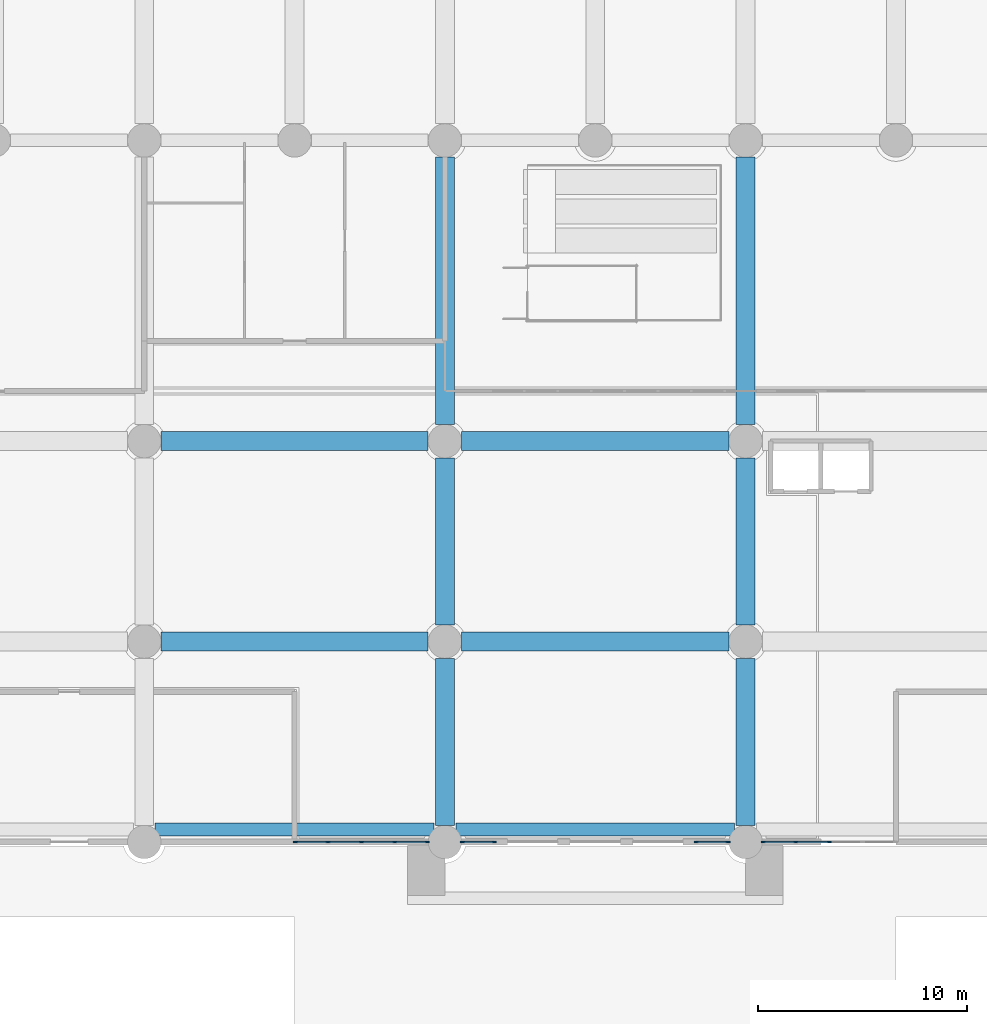
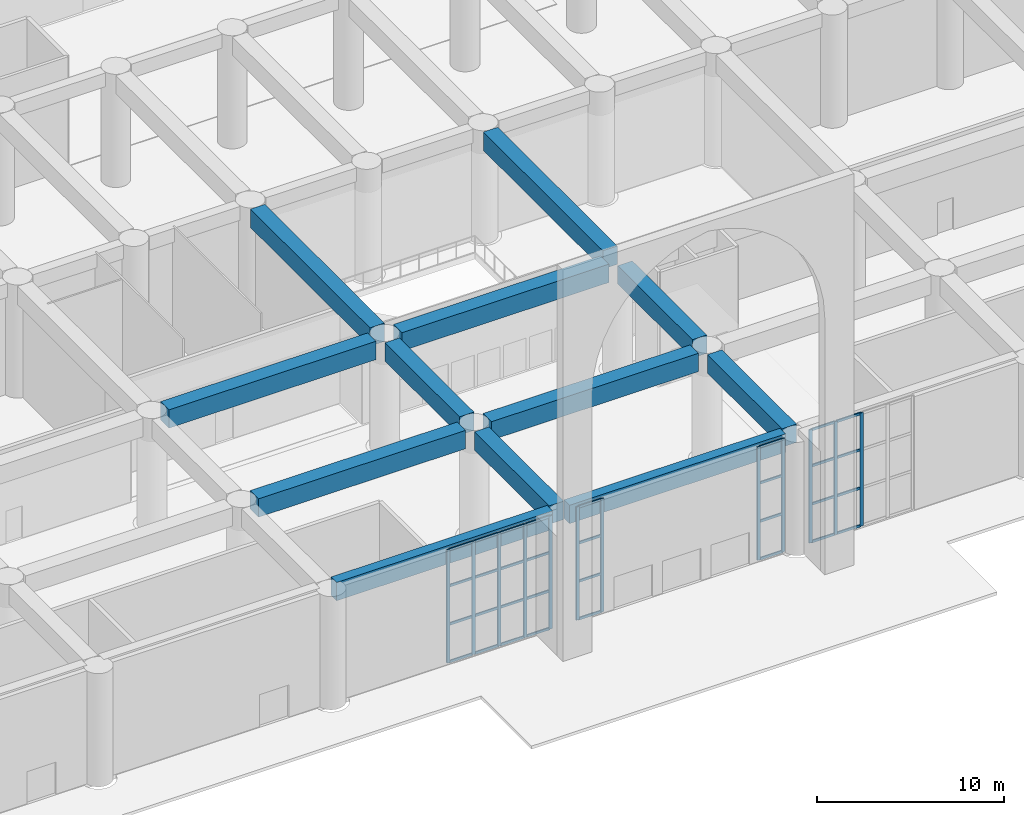
# One storey, part 3 of 32: 44 members, 12 beams, 4 elements without a shape of their own.
"""IFC4 building model written with IfcOpenShell, lengths in metres."""

from ifc_helpers import new_model, si_unit, direction, frame, origin, origin_2d, place, context, subcontext, project, spatial, rectangle, extrude, source, transform, mapped, material, layer, layer_set, material_profile, profile_set, type_object, element, aggregate, save


model = new_model("IFC4")

# Units and contexts
model_context = context("Model", 3, precision=1e-05, world=origin(), true_north=direction((0.0, 1.0)))
body_context = subcontext(model_context, "Body", "Model", "MODEL_VIEW")
ifc_project = project(units=[si_unit("LENGTHUNIT", "METRE"), si_unit("AREAUNIT", "SQUARE_METRE"), si_unit("VOLUMEUNIT", "CUBIC_METRE"), si_unit("PLANEANGLEUNIT", "RADIAN"), si_unit("MASSUNIT", "GRAM", prefix="KILO")], contexts=[model_context])

# Site, building, storey
site_placement = place(None, origin())
site = spatial("IfcSite", under=ifc_project, at=site_placement, CompositionType="ELEMENT")
building_placement = place(site_placement, origin())
building = spatial("IfcBuilding", under=site, at=building_placement, Name="Saffron Iwan Residences", CompositionType="ELEMENT")
storey_placement = place(building_placement, origin())
storey = spatial("IfcBuildingStorey", under=building, at=storey_placement, Name="L00", CompositionType="ELEMENT", Elevation=0.0)

# Beams
ifc_material_1 = material(Name="Concrete C50/60", Category="concrete")
ifc_material_profile_1 = material_profile(ifc_material_1, rectangle(XDim=0.60009765625, YDim=1.199951171875, at=origin_2d()), Name="RC 600x1200")
ifc_profile_set_1 = profile_set([ifc_material_profile_1], Name="Concrete C50/60")
beam_type_1 = type_object("IfcBeamType", Name="LINTEL BEAM RC 600x1200 C50/60 TOP 7400", PredefinedType="LINTEL", material=ifc_profile_set_1)
shared_shape_1 = source(origin(), body_context, "Body", "SweptSolid", [
    extrude(rectangle(XDim=0.60009765625, YDim=1.199951171875, at=origin_2d()), origin(), (0.0, 0.0, 1.0), 13.352294921875),
])
beam_1_placement = place(storey_placement, frame((57.076171875, 0.60009765625, 6.800048828125), z_axis=(-1.0, 0.0, 0.0), x_axis=(0.0, -1.0, 0.0)))
element("IfcBeam", 1, at=beam_1_placement, inside=storey, type_object=beam_type_1, Name="Lintel beam over the iwan", PredefinedType="LINTEL", context=body_context, shape_type="MappedRepresentation", body=[
    mapped(shared_shape_1, transform((0.0, 0.0, 0.0))),
])
shared_shape_2 = source(origin(), body_context, "Body", "SweptSolid", [
    extrude(rectangle(XDim=0.60009765625, YDim=1.199951171875, at=origin_2d()), origin(), (0.0, 0.0, 1.0), 13.35205078125),
])
beam_2_placement = place(storey_placement, frame((42.676025390625, 0.60009765625, 6.800048828125), z_axis=(-1.0, 0.0, 0.0), x_axis=(0.0, -1.0, 0.0)))
element("IfcBeam", 2, at=beam_2_placement, inside=storey, type_object=beam_type_1, Name="Lintel beam over the iwan", PredefinedType="LINTEL", context=body_context, shape_type="MappedRepresentation", body=[
    mapped(shared_shape_2, transform((0.0, 0.0, 0.0))),
])
ifc_material_profile_2 = material_profile(ifc_material_1, rectangle(XDim=0.89990234375, YDim=1.199951171875, at=origin_2d()), Name="RC 900x1200")
ifc_profile_set_2 = profile_set([ifc_material_profile_2], Name="Concrete C50/60")
beam_type_2 = type_object("IfcBeamType", Name="BEAM RC 900x1200 C50/60 TOP 7400", PredefinedType="BEAM", material=ifc_profile_set_2)
shared_shape_3 = source(origin(), body_context, "Body", "SweptSolid", [
    extrude(rectangle(XDim=0.89990234375, YDim=1.199951171875, at=origin_2d()), origin(), (0.0, 0.0, 1.0), 8.0),
])
for number, where, z_axis, x_axis, name in (
    (3, (43.199951171875, 0.800048828125, 6.800048828125), (0.0, 1.0, 0.0), (-1.0, 0.0, 0.0), "Floor beam"),
    (4, (57.60009765625, 0.800048828125, 6.800048828125), (0.0, 1.0, 0.0), (-1.0, 0.0, 0.0), "Floor beam"),
    (5, (43.199951171875, 10.39990234375, 6.800048828125), (0.0, 1.0, 0.0), (-1.0, 0.0, 0.0), "Floor beam"),
    (6, (57.60009765625, 10.39990234375, 6.800048828125), (0.0, 1.0, 0.0), (-1.0, 0.0, 0.0), "Floor beam"),
):
    element("IfcBeam", number, at=place(storey_placement, frame(where, z_axis=z_axis, x_axis=x_axis)), inside=storey, type_object=beam_type_2, Name=name, PredefinedType="BEAM", context=body_context, shape_type="MappedRepresentation", body=[
        mapped(shared_shape_3, transform((0.0, 0.0, 0.0))),
    ])
shared_shape_4 = source(origin(), body_context, "Body", "SweptSolid", [
    extrude(rectangle(XDim=0.89990234375, YDim=1.199951171875, at=origin_2d()), origin(), (0.0, 0.0, 1.0), 12.800048828125),
])
for number, where, z_axis, x_axis, name in (
    (7, (44.0, 9.60009765625, 6.800048828125), (1.0, 0.0, 0.0), (0.0, 1.0, 0.0), "Floor beam"),
    (8, (44.0, 19.199951171875, 6.800048828125), (1.0, 0.0, 0.0), (0.0, 1.0, 0.0), "Floor beam"),
    (9, (43.199951171875, 20.0, 6.800048828125), (0.0, 1.0, 0.0), (-1.0, 0.0, 0.0), "Floor beam"),
    (10, (57.60009765625, 20.0, 6.800048828125), (0.0, 1.0, 0.0), (-1.0, 0.0, 0.0), "Floor beam"),
):
    element("IfcBeam", number, at=place(storey_placement, frame(where, z_axis=z_axis, x_axis=x_axis)), inside=storey, type_object=beam_type_2, Name=name, PredefinedType="BEAM", context=body_context, shape_type="MappedRepresentation", body=[
        mapped(shared_shape_4, transform((0.0, 0.0, 0.0))),
    ])
shared_shape_5 = source(origin(), body_context, "Body", "SweptSolid", [
    extrude(rectangle(XDim=0.89990234375, YDim=1.199951171875, at=origin_2d()), origin(), (0.0, 0.0, 1.0), 12.7998046875),
])
for number, where, z_axis, x_axis, name in (
    (11, (29.60009765625, 9.60009765625, 6.800048828125), (1.0, 0.0, 0.0), (0.0, 1.0, 0.0), "Floor beam"),
    (12, (29.60009765625, 19.199951171875, 6.800048828125), (1.0, 0.0, 0.0), (0.0, 1.0, 0.0), "Floor beam"),
):
    element("IfcBeam", number, at=place(storey_placement, frame(where, z_axis=z_axis, x_axis=x_axis)), inside=storey, type_object=beam_type_2, Name=name, PredefinedType="BEAM", context=body_context, shape_type="MappedRepresentation", body=[
        mapped(shared_shape_5, transform((0.0, 0.0, 0.0))),
    ])

# Curtain wall, members
ifc_material_2 = material(Name="Clear glass, laminated double glazed", Category="glass")
ifc_layer = layer(ifc_material_2, 0.199951171875)
ifc_layer_set = layer_set([ifc_layer], Name="Clear glass, laminated double glazed")
curtain_wall_type = type_object("IfcCurtainWallType", Name="CW-A UNITISED FRONTAGE", PredefinedType="NOTDEFINED", material=ifc_layer_set)
curtain_wall_1_placement = place(storey_placement, origin())
curtain_wall_1 = element("IfcCurtainWall", 13, at=curtain_wall_1_placement, inside=storey, type_object=curtain_wall_type, Name="Frontage glazing 1.1", PredefinedType="NOTDEFINED")
ifc_material_3 = material(Name="Aluminium 6063-T6", Category="aluminium")
ifc_material_profile_3 = material_profile(ifc_material_3, rectangle(XDim=0.080078125, YDim=0.199951171875, at=origin_2d()), Name="CW-A MULLION 80 x 200")
ifc_profile_set_3 = profile_set([ifc_material_profile_3], Name="Aluminium 6063-T6")
member_type_1 = type_object("IfcMemberType", Name="CW-A MULLION 80 x 200", PredefinedType="MULLION", material=ifc_profile_set_3)
shared_shape_6 = source(origin(), body_context, "Body", "SweptSolid", [
    extrude(rectangle(XDim=0.080078125, YDim=0.199951171875, at=origin_2d()), origin(), (0.0, 0.0, 1.0), 7.39990234375),
])
member_1_placement = place(storey_placement, frame((36.0400390625, 0.0, 0.0), z_axis=(0.0, 0.0, 1.0), x_axis=(0.0, 1.0, 0.0)))
member_1 = element("IfcMember", 14, at=member_1_placement, type_object=member_type_1, Name="CW-A mullion 1", PredefinedType="MULLION", context=body_context, shape_type="MappedRepresentation", body=[
    mapped(shared_shape_6, transform((0.0, 0.0, 0.0))),
])
member_2_placement = place(storey_placement, frame((37.60009765625, 0.0, 0.0), z_axis=(0.0, 0.0, 1.0), x_axis=(0.0, 1.0, 0.0)))
member_2 = element("IfcMember", 15, at=member_2_placement, type_object=member_type_1, Name="CW-A mullion 2", PredefinedType="MULLION", context=body_context, shape_type="MappedRepresentation", body=[
    mapped(shared_shape_6, transform((0.0, 0.0, 0.0))),
])
member_3_placement = place(storey_placement, frame((39.199951171875, 0.0, 0.0), z_axis=(0.0, 0.0, 1.0), x_axis=(0.0, 1.0, 0.0)))
member_3 = element("IfcMember", 16, at=member_3_placement, type_object=member_type_1, Name="CW-A mullion 3", PredefinedType="MULLION", context=body_context, shape_type="MappedRepresentation", body=[
    mapped(shared_shape_6, transform((0.0, 0.0, 0.0))),
])
member_4_placement = place(storey_placement, frame((40.800048828125, 0.0, 0.0), z_axis=(0.0, 0.0, 1.0), x_axis=(0.0, 1.0, 0.0)))
member_4 = element("IfcMember", 17, at=member_4_placement, type_object=member_type_1, Name="CW-A mullion 4", PredefinedType="MULLION", context=body_context, shape_type="MappedRepresentation", body=[
    mapped(shared_shape_6, transform((0.0, 0.0, 0.0))),
])
member_5_placement = place(storey_placement, frame((42.360107421875, 0.0, 0.0), z_axis=(0.0, 0.0, 1.0), x_axis=(0.0, 1.0, 0.0)))
member_5 = element("IfcMember", 18, at=member_5_placement, type_object=member_type_1, Name="CW-A mullion 5", PredefinedType="MULLION", context=body_context, shape_type="MappedRepresentation", body=[
    mapped(shared_shape_6, transform((0.0, 0.0, 0.0))),
])

curtain_wall_2_placement = place(storey_placement, origin())
curtain_wall_2 = element("IfcCurtainWall", 19, at=curtain_wall_2_placement, inside=storey, type_object=curtain_wall_type, Name="Frontage glazing 1.2", PredefinedType="NOTDEFINED")
member_6_placement = place(storey_placement, frame((44.0400390625, 0.0, 0.0), z_axis=(0.0, 0.0, 1.0), x_axis=(0.0, 1.0, 0.0)))
member_6 = element("IfcMember", 20, at=member_6_placement, type_object=member_type_1, Name="CW-A mullion 1", PredefinedType="MULLION", context=body_context, shape_type="MappedRepresentation", body=[
    mapped(shared_shape_6, transform((0.0, 0.0, 0.0))),
])
member_7_placement = place(storey_placement, frame((45.56005859375, 0.0, 0.0), z_axis=(0.0, 0.0, 1.0), x_axis=(0.0, 1.0, 0.0)))
member_7 = element("IfcMember", 21, at=member_7_placement, type_object=member_type_1, Name="CW-A mullion 2", PredefinedType="MULLION", context=body_context, shape_type="MappedRepresentation", body=[
    mapped(shared_shape_6, transform((0.0, 0.0, 0.0))),
])

curtain_wall_3_placement = place(storey_placement, origin())
curtain_wall_3 = element("IfcCurtainWall", 22, at=curtain_wall_3_placement, inside=storey, type_object=curtain_wall_type, Name="Frontage glazing 2.1", PredefinedType="NOTDEFINED")
member_8_placement = place(storey_placement, frame((55.239990234375, 0.0, 0.0), z_axis=(0.0, 0.0, 1.0), x_axis=(0.0, 1.0, 0.0)))
member_8 = element("IfcMember", 23, at=member_8_placement, type_object=member_type_1, Name="CW-A mullion 1", PredefinedType="MULLION", context=body_context, shape_type="MappedRepresentation", body=[
    mapped(shared_shape_6, transform((0.0, 0.0, 0.0))),
])
member_9_placement = place(storey_placement, frame((56.760009765625, 0.0, 0.0), z_axis=(0.0, 0.0, 1.0), x_axis=(0.0, 1.0, 0.0)))
member_9 = element("IfcMember", 24, at=member_9_placement, type_object=member_type_1, Name="CW-A mullion 2", PredefinedType="MULLION", context=body_context, shape_type="MappedRepresentation", body=[
    mapped(shared_shape_6, transform((0.0, 0.0, 0.0))),
])

curtain_wall_4_placement = place(storey_placement, origin())
curtain_wall_4 = element("IfcCurtainWall", 25, at=curtain_wall_4_placement, inside=storey, type_object=curtain_wall_type, Name="Frontage glazing 2.2", PredefinedType="NOTDEFINED")
member_10_placement = place(storey_placement, frame((58.43994140625, 0.0, 0.0), z_axis=(0.0, 0.0, 1.0), x_axis=(0.0, 1.0, 0.0)))
member_10 = element("IfcMember", 26, at=member_10_placement, type_object=member_type_1, Name="CW-A mullion 1", PredefinedType="MULLION", context=body_context, shape_type="MappedRepresentation", body=[
    mapped(shared_shape_6, transform((0.0, 0.0, 0.0))),
])
member_11_placement = place(storey_placement, frame((60.0, 0.0, 0.0), z_axis=(0.0, 0.0, 1.0), x_axis=(0.0, 1.0, 0.0)))
member_11 = element("IfcMember", 27, at=member_11_placement, type_object=member_type_1, Name="CW-A mullion 2", PredefinedType="MULLION", context=body_context, shape_type="MappedRepresentation", body=[
    mapped(shared_shape_6, transform((0.0, 0.0, 0.0))),
])
member_12_placement = place(storey_placement, frame((61.60009765625, 0.0, 0.0), z_axis=(0.0, 0.0, 1.0), x_axis=(0.0, 1.0, 0.0)))
member_12 = element("IfcMember", 28, at=member_12_placement, type_object=member_type_1, Name="CW-A mullion 3", PredefinedType="MULLION", context=body_context, shape_type="MappedRepresentation", body=[
    mapped(shared_shape_6, transform((0.0, 0.0, 0.0))),
])

# Member
ifc_material_profile_4 = material_profile(ifc_material_3, rectangle(XDim=0.080078125, YDim=0.159912109375, at=origin_2d()), Name="CW-A TRANSOM 80 x 160")
ifc_profile_set_4 = profile_set([ifc_material_profile_4], Name="Aluminium 6063-T6")
member_type_2 = type_object("IfcMemberType", Name="CW-A TRANSOM 80 x 160", PredefinedType="USERDEFINED", material=ifc_profile_set_4)
shared_shape_7 = source(origin(), body_context, "Body", "SweptSolid", [
    extrude(rectangle(XDim=0.080078125, YDim=0.159912109375, at=origin_2d()), origin(), (0.0, 0.0, 1.0), 1.47998046875),
])
member_13_placement = place(storey_placement, frame((36.080078125, 0.0, 0.0400390625), z_axis=(1.0, 0.0, 0.0), x_axis=(0.0, 1.0, 0.0)))
member_13 = element("IfcMember", 29, at=member_13_placement, type_object=member_type_2, Name="CW-A transom 1.1", ObjectType="TRANSOM", PredefinedType="USERDEFINED", context=body_context, shape_type="MappedRepresentation", body=[
    mapped(shared_shape_7, transform((0.0, 0.0, 0.0))),
])

member_14_placement = place(storey_placement, frame((36.080078125, 0.0, 2.5), z_axis=(1.0, 0.0, 0.0), x_axis=(0.0, 1.0, 0.0)))
member_14 = element("IfcMember", 30, at=member_14_placement, type_object=member_type_2, Name="CW-A transom 1.2", ObjectType="TRANSOM", PredefinedType="USERDEFINED", context=body_context, shape_type="MappedRepresentation", body=[
    mapped(shared_shape_7, transform((0.0, 0.0, 0.0))),
])

member_15_placement = place(storey_placement, frame((36.080078125, 0.0, 5.0), z_axis=(1.0, 0.0, 0.0), x_axis=(0.0, 1.0, 0.0)))
member_15 = element("IfcMember", 31, at=member_15_placement, type_object=member_type_2, Name="CW-A transom 1.3", ObjectType="TRANSOM", PredefinedType="USERDEFINED", context=body_context, shape_type="MappedRepresentation", body=[
    mapped(shared_shape_7, transform((0.0, 0.0, 0.0))),
])

member_16_placement = place(storey_placement, frame((36.080078125, 0.0, 7.360107421875), z_axis=(1.0, 0.0, 0.0), x_axis=(0.0, 1.0, 0.0)))
member_16 = element("IfcMember", 32, at=member_16_placement, type_object=member_type_2, Name="CW-A transom 1.4", ObjectType="TRANSOM", PredefinedType="USERDEFINED", context=body_context, shape_type="MappedRepresentation", body=[
    mapped(shared_shape_7, transform((0.0, 0.0, 0.0))),
])

member_17_placement = place(storey_placement, frame((40.840087890625, 0.0, 0.0400390625), z_axis=(1.0, 0.0, 0.0), x_axis=(0.0, 1.0, 0.0)))
member_17 = element("IfcMember", 33, at=member_17_placement, type_object=member_type_2, Name="CW-A transom 4.1", ObjectType="TRANSOM", PredefinedType="USERDEFINED", context=body_context, shape_type="MappedRepresentation", body=[
    mapped(shared_shape_7, transform((0.0, 0.0, 0.0))),
])

member_18_placement = place(storey_placement, frame((40.840087890625, 0.0, 2.5), z_axis=(1.0, 0.0, 0.0), x_axis=(0.0, 1.0, 0.0)))
member_18 = element("IfcMember", 34, at=member_18_placement, type_object=member_type_2, Name="CW-A transom 4.2", ObjectType="TRANSOM", PredefinedType="USERDEFINED", context=body_context, shape_type="MappedRepresentation", body=[
    mapped(shared_shape_7, transform((0.0, 0.0, 0.0))),
])

member_19_placement = place(storey_placement, frame((40.840087890625, 0.0, 5.0), z_axis=(1.0, 0.0, 0.0), x_axis=(0.0, 1.0, 0.0)))
member_19 = element("IfcMember", 35, at=member_19_placement, type_object=member_type_2, Name="CW-A transom 4.3", ObjectType="TRANSOM", PredefinedType="USERDEFINED", context=body_context, shape_type="MappedRepresentation", body=[
    mapped(shared_shape_7, transform((0.0, 0.0, 0.0))),
])

member_20_placement = place(storey_placement, frame((40.840087890625, 0.0, 7.360107421875), z_axis=(1.0, 0.0, 0.0), x_axis=(0.0, 1.0, 0.0)))
member_20 = element("IfcMember", 36, at=member_20_placement, type_object=member_type_2, Name="CW-A transom 4.4", ObjectType="TRANSOM", PredefinedType="USERDEFINED", context=body_context, shape_type="MappedRepresentation", body=[
    mapped(shared_shape_7, transform((0.0, 0.0, 0.0))),
])

member_21_placement = place(storey_placement, frame((58.47998046875, 0.0, 0.0400390625), z_axis=(1.0, 0.0, 0.0), x_axis=(0.0, 1.0, 0.0)))
member_21 = element("IfcMember", 37, at=member_21_placement, type_object=member_type_2, Name="CW-A transom 1.1", ObjectType="TRANSOM", PredefinedType="USERDEFINED", context=body_context, shape_type="MappedRepresentation", body=[
    mapped(shared_shape_7, transform((0.0, 0.0, 0.0))),
])

member_22_placement = place(storey_placement, frame((58.47998046875, 0.0, 2.5), z_axis=(1.0, 0.0, 0.0), x_axis=(0.0, 1.0, 0.0)))
member_22 = element("IfcMember", 38, at=member_22_placement, type_object=member_type_2, Name="CW-A transom 1.2", ObjectType="TRANSOM", PredefinedType="USERDEFINED", context=body_context, shape_type="MappedRepresentation", body=[
    mapped(shared_shape_7, transform((0.0, 0.0, 0.0))),
])

member_23_placement = place(storey_placement, frame((58.47998046875, 0.0, 5.0), z_axis=(1.0, 0.0, 0.0), x_axis=(0.0, 1.0, 0.0)))
member_23 = element("IfcMember", 39, at=member_23_placement, type_object=member_type_2, Name="CW-A transom 1.3", ObjectType="TRANSOM", PredefinedType="USERDEFINED", context=body_context, shape_type="MappedRepresentation", body=[
    mapped(shared_shape_7, transform((0.0, 0.0, 0.0))),
])

member_24_placement = place(storey_placement, frame((58.47998046875, 0.0, 7.360107421875), z_axis=(1.0, 0.0, 0.0), x_axis=(0.0, 1.0, 0.0)))
member_24 = element("IfcMember", 40, at=member_24_placement, type_object=member_type_2, Name="CW-A transom 1.4", ObjectType="TRANSOM", PredefinedType="USERDEFINED", context=body_context, shape_type="MappedRepresentation", body=[
    mapped(shared_shape_7, transform((0.0, 0.0, 0.0))),
])

shared_shape_8 = source(origin(), body_context, "Body", "SweptSolid", [
    extrude(rectangle(XDim=0.080078125, YDim=0.159912109375, at=origin_2d()), origin(), (0.0, 0.0, 1.0), 1.52001953125),
])
member_25_placement = place(storey_placement, frame((37.639892578125, 0.0, 0.0400390625), z_axis=(1.0, 0.0, 0.0), x_axis=(0.0, 1.0, 0.0)))
member_25 = element("IfcMember", 41, at=member_25_placement, type_object=member_type_2, Name="CW-A transom 2.1", ObjectType="TRANSOM", PredefinedType="USERDEFINED", context=body_context, shape_type="MappedRepresentation", body=[
    mapped(shared_shape_8, transform((0.0, 0.0, 0.0))),
])

member_26_placement = place(storey_placement, frame((37.639892578125, 0.0, 2.5), z_axis=(1.0, 0.0, 0.0), x_axis=(0.0, 1.0, 0.0)))
member_26 = element("IfcMember", 42, at=member_26_placement, type_object=member_type_2, Name="CW-A transom 2.2", ObjectType="TRANSOM", PredefinedType="USERDEFINED", context=body_context, shape_type="MappedRepresentation", body=[
    mapped(shared_shape_8, transform((0.0, 0.0, 0.0))),
])

member_27_placement = place(storey_placement, frame((37.639892578125, 0.0, 5.0), z_axis=(1.0, 0.0, 0.0), x_axis=(0.0, 1.0, 0.0)))
member_27 = element("IfcMember", 43, at=member_27_placement, type_object=member_type_2, Name="CW-A transom 2.3", ObjectType="TRANSOM", PredefinedType="USERDEFINED", context=body_context, shape_type="MappedRepresentation", body=[
    mapped(shared_shape_8, transform((0.0, 0.0, 0.0))),
])

member_28_placement = place(storey_placement, frame((37.639892578125, 0.0, 7.360107421875), z_axis=(1.0, 0.0, 0.0), x_axis=(0.0, 1.0, 0.0)))
member_28 = element("IfcMember", 44, at=member_28_placement, type_object=member_type_2, Name="CW-A transom 2.4", ObjectType="TRANSOM", PredefinedType="USERDEFINED", context=body_context, shape_type="MappedRepresentation", body=[
    mapped(shared_shape_8, transform((0.0, 0.0, 0.0))),
])

member_29_placement = place(storey_placement, frame((39.239990234375, 0.0, 0.0400390625), z_axis=(1.0, 0.0, 0.0), x_axis=(0.0, 1.0, 0.0)))
member_29 = element("IfcMember", 45, at=member_29_placement, type_object=member_type_2, Name="CW-A transom 3.1", ObjectType="TRANSOM", PredefinedType="USERDEFINED", context=body_context, shape_type="MappedRepresentation", body=[
    mapped(shared_shape_8, transform((0.0, 0.0, 0.0))),
])

member_30_placement = place(storey_placement, frame((39.239990234375, 0.0, 2.5), z_axis=(1.0, 0.0, 0.0), x_axis=(0.0, 1.0, 0.0)))
member_30 = element("IfcMember", 46, at=member_30_placement, type_object=member_type_2, Name="CW-A transom 3.2", ObjectType="TRANSOM", PredefinedType="USERDEFINED", context=body_context, shape_type="MappedRepresentation", body=[
    mapped(shared_shape_8, transform((0.0, 0.0, 0.0))),
])

member_31_placement = place(storey_placement, frame((39.239990234375, 0.0, 5.0), z_axis=(1.0, 0.0, 0.0), x_axis=(0.0, 1.0, 0.0)))
member_31 = element("IfcMember", 47, at=member_31_placement, type_object=member_type_2, Name="CW-A transom 3.3", ObjectType="TRANSOM", PredefinedType="USERDEFINED", context=body_context, shape_type="MappedRepresentation", body=[
    mapped(shared_shape_8, transform((0.0, 0.0, 0.0))),
])

member_32_placement = place(storey_placement, frame((39.239990234375, 0.0, 7.360107421875), z_axis=(1.0, 0.0, 0.0), x_axis=(0.0, 1.0, 0.0)))
member_32 = element("IfcMember", 48, at=member_32_placement, type_object=member_type_2, Name="CW-A transom 3.4", ObjectType="TRANSOM", PredefinedType="USERDEFINED", context=body_context, shape_type="MappedRepresentation", body=[
    mapped(shared_shape_8, transform((0.0, 0.0, 0.0))),
])

aggregate(curtain_wall_1, [member_1, member_2, member_3, member_4, member_5, member_13, member_14, member_15, member_16, member_25, member_26, member_27, member_28, member_29, member_30, member_31, member_32, member_17, member_18, member_19, member_20])

member_33_placement = place(storey_placement, frame((60.0400390625, 0.0, 0.0400390625), z_axis=(1.0, 0.0, 0.0), x_axis=(0.0, 1.0, 0.0)))
member_33 = element("IfcMember", 49, at=member_33_placement, type_object=member_type_2, Name="CW-A transom 2.1", ObjectType="TRANSOM", PredefinedType="USERDEFINED", context=body_context, shape_type="MappedRepresentation", body=[
    mapped(shared_shape_8, transform((0.0, 0.0, 0.0))),
])

member_34_placement = place(storey_placement, frame((60.0400390625, 0.0, 2.5), z_axis=(1.0, 0.0, 0.0), x_axis=(0.0, 1.0, 0.0)))
member_34 = element("IfcMember", 50, at=member_34_placement, type_object=member_type_2, Name="CW-A transom 2.2", ObjectType="TRANSOM", PredefinedType="USERDEFINED", context=body_context, shape_type="MappedRepresentation", body=[
    mapped(shared_shape_8, transform((0.0, 0.0, 0.0))),
])

member_35_placement = place(storey_placement, frame((60.0400390625, 0.0, 5.0), z_axis=(1.0, 0.0, 0.0), x_axis=(0.0, 1.0, 0.0)))
member_35 = element("IfcMember", 51, at=member_35_placement, type_object=member_type_2, Name="CW-A transom 2.3", ObjectType="TRANSOM", PredefinedType="USERDEFINED", context=body_context, shape_type="MappedRepresentation", body=[
    mapped(shared_shape_8, transform((0.0, 0.0, 0.0))),
])

member_36_placement = place(storey_placement, frame((60.0400390625, 0.0, 7.360107421875), z_axis=(1.0, 0.0, 0.0), x_axis=(0.0, 1.0, 0.0)))
member_36 = element("IfcMember", 52, at=member_36_placement, type_object=member_type_2, Name="CW-A transom 2.4", ObjectType="TRANSOM", PredefinedType="USERDEFINED", context=body_context, shape_type="MappedRepresentation", body=[
    mapped(shared_shape_8, transform((0.0, 0.0, 0.0))),
])

aggregate(curtain_wall_4, [member_10, member_11, member_12, member_21, member_22, member_23, member_24, member_33, member_34, member_35, member_36])

shared_shape_9 = source(origin(), body_context, "Body", "SweptSolid", [
    extrude(rectangle(XDim=0.080078125, YDim=0.159912109375, at=origin_2d()), origin(), (0.0, 0.0, 1.0), 1.43994140625),
])
member_37_placement = place(storey_placement, frame((44.080078125, 0.0, 0.0400390625), z_axis=(1.0, 0.0, 0.0), x_axis=(0.0, 1.0, 0.0)))
member_37 = element("IfcMember", 53, at=member_37_placement, type_object=member_type_2, Name="CW-A transom 1.1", ObjectType="TRANSOM", PredefinedType="USERDEFINED", context=body_context, shape_type="MappedRepresentation", body=[
    mapped(shared_shape_9, transform((0.0, 0.0, 0.0))),
])

member_38_placement = place(storey_placement, frame((44.080078125, 0.0, 2.5), z_axis=(1.0, 0.0, 0.0), x_axis=(0.0, 1.0, 0.0)))
member_38 = element("IfcMember", 54, at=member_38_placement, type_object=member_type_2, Name="CW-A transom 1.2", ObjectType="TRANSOM", PredefinedType="USERDEFINED", context=body_context, shape_type="MappedRepresentation", body=[
    mapped(shared_shape_9, transform((0.0, 0.0, 0.0))),
])

member_39_placement = place(storey_placement, frame((44.080078125, 0.0, 5.0), z_axis=(1.0, 0.0, 0.0), x_axis=(0.0, 1.0, 0.0)))
member_39 = element("IfcMember", 55, at=member_39_placement, type_object=member_type_2, Name="CW-A transom 1.3", ObjectType="TRANSOM", PredefinedType="USERDEFINED", context=body_context, shape_type="MappedRepresentation", body=[
    mapped(shared_shape_9, transform((0.0, 0.0, 0.0))),
])

member_40_placement = place(storey_placement, frame((44.080078125, 0.0, 7.360107421875), z_axis=(1.0, 0.0, 0.0), x_axis=(0.0, 1.0, 0.0)))
member_40 = element("IfcMember", 56, at=member_40_placement, type_object=member_type_2, Name="CW-A transom 1.4", ObjectType="TRANSOM", PredefinedType="USERDEFINED", context=body_context, shape_type="MappedRepresentation", body=[
    mapped(shared_shape_9, transform((0.0, 0.0, 0.0))),
])

aggregate(curtain_wall_2, [member_6, member_7, member_37, member_38, member_39, member_40])

member_41_placement = place(storey_placement, frame((55.280029296875, 0.0, 0.0400390625), z_axis=(1.0, 0.0, 0.0), x_axis=(0.0, 1.0, 0.0)))
member_41 = element("IfcMember", 57, at=member_41_placement, type_object=member_type_2, Name="CW-A transom 1.1", ObjectType="TRANSOM", PredefinedType="USERDEFINED", context=body_context, shape_type="MappedRepresentation", body=[
    mapped(shared_shape_9, transform((0.0, 0.0, 0.0))),
])

member_42_placement = place(storey_placement, frame((55.280029296875, 0.0, 2.5), z_axis=(1.0, 0.0, 0.0), x_axis=(0.0, 1.0, 0.0)))
member_42 = element("IfcMember", 58, at=member_42_placement, type_object=member_type_2, Name="CW-A transom 1.2", ObjectType="TRANSOM", PredefinedType="USERDEFINED", context=body_context, shape_type="MappedRepresentation", body=[
    mapped(shared_shape_9, transform((0.0, 0.0, 0.0))),
])

member_43_placement = place(storey_placement, frame((55.280029296875, 0.0, 5.0), z_axis=(1.0, 0.0, 0.0), x_axis=(0.0, 1.0, 0.0)))
member_43 = element("IfcMember", 59, at=member_43_placement, type_object=member_type_2, Name="CW-A transom 1.3", ObjectType="TRANSOM", PredefinedType="USERDEFINED", context=body_context, shape_type="MappedRepresentation", body=[
    mapped(shared_shape_9, transform((0.0, 0.0, 0.0))),
])

member_44_placement = place(storey_placement, frame((55.280029296875, 0.0, 7.360107421875), z_axis=(1.0, 0.0, 0.0), x_axis=(0.0, 1.0, 0.0)))
member_44 = element("IfcMember", 60, at=member_44_placement, type_object=member_type_2, Name="CW-A transom 1.4", ObjectType="TRANSOM", PredefinedType="USERDEFINED", context=body_context, shape_type="MappedRepresentation", body=[
    mapped(shared_shape_9, transform((0.0, 0.0, 0.0))),
])

aggregate(curtain_wall_3, [member_8, member_9, member_41, member_42, member_43, member_44])

save(model, "model.ifc")
